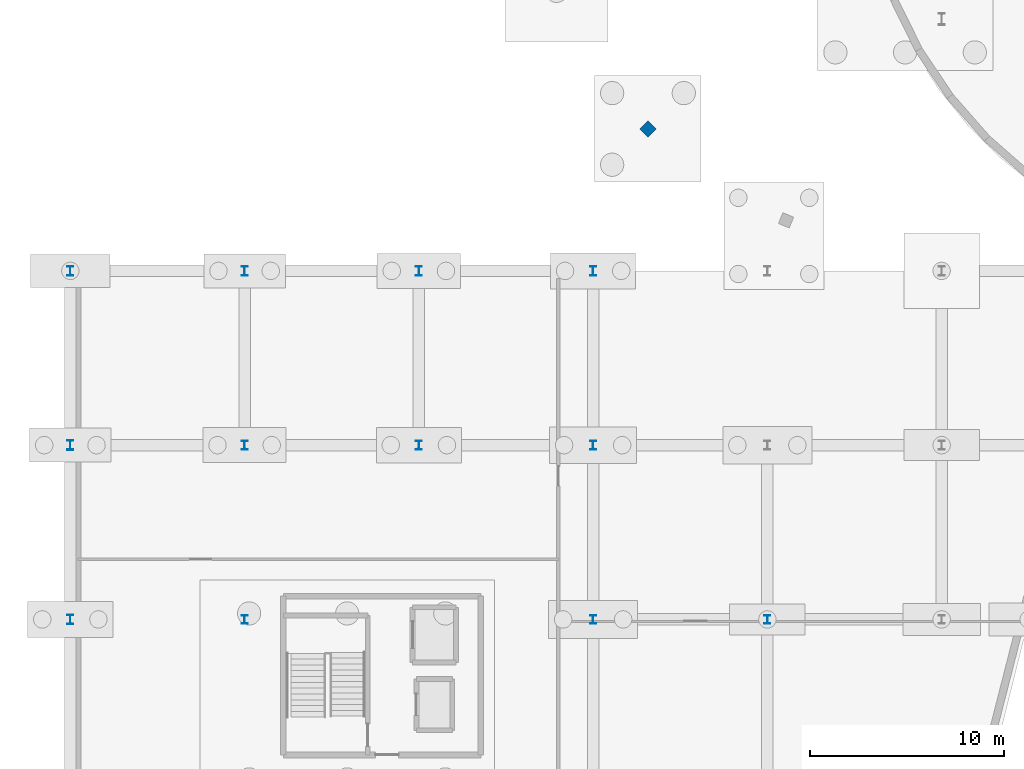
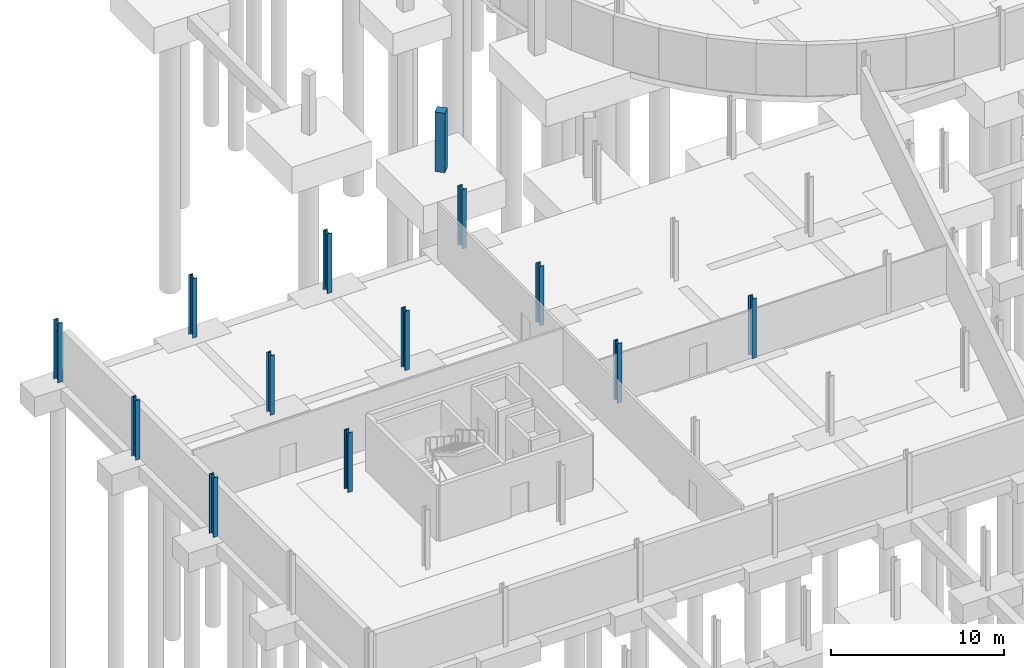
# One storey, part 17 of 42: 13 columns.
"""IFC4 building model written with IfcOpenShell, lengths in metres."""

from ifc_helpers import new_model, si_unit, direction, frame, origin, origin_2d, place, context, subcontext, project, spatial, rectangle, i_section, extrude, material, material_profile, profile_set, type_object, element, save


model = new_model("IFC4")

# Units and contexts
model_context = context("Model", 3, precision=1e-05, world=origin(), true_north=direction((0.0, 1.0)))
body_context = subcontext(model_context, "Body", "Model", "MODEL_VIEW")
ifc_project = project(units=[si_unit("LENGTHUNIT", "METRE"), si_unit("AREAUNIT", "SQUARE_METRE"), si_unit("VOLUMEUNIT", "CUBIC_METRE"), si_unit("PLANEANGLEUNIT", "RADIAN"), si_unit("MASSUNIT", "GRAM", prefix="KILO")], contexts=[model_context])

# Site, building, storey
site_placement = place(None, origin())
site = spatial("IfcSite", under=ifc_project, at=site_placement, CompositionType="ELEMENT")
building_placement = place(site_placement, origin())
building = spatial("IfcBuilding", under=site, at=building_placement, Name="Deido Ridge Mobility Hub", CompositionType="ELEMENT")
storey_placement = place(building_placement, frame((0.0, 0.0, -4.199951171875)))
storey = spatial("IfcBuildingStorey", under=building, at=storey_placement, Name="B1", CompositionType="ELEMENT", Elevation=-4.199951171875)

# Columns
ifc_material_1 = material(Name="Steel S355J2 EN 10025-2", Category="steel")
ifc_material_profile_1 = material_profile(ifc_material_1, i_section(OverallWidth=0.300048828125, OverallDepth=0.449951171875, WebThickness=0.013916015625, FlangeThickness=0.02587890625, FilletRadius=0.027099609375, at=origin_2d()), Name="HEB 450")
ifc_profile_set_1 = profile_set([ifc_material_profile_1], Name="Steel S355J2 EN 10025-2")
column_type_1 = type_object("IfcColumnType", Name="COL-HEB450", PredefinedType="COLUMN", material=ifc_profile_set_1)
for number, where, z_axis, x_axis, name in (
    (1, (9.0, 63.0, 0.0), (0.0, 0.0, 1.0), (1.0, 0.0, 0.0), "Structural column C6"),
    (2, (27.0, 63.0, 0.0), (0.0, 0.0, 1.0), (1.0, 0.0, 0.0), "Structural column C6"),
    (3, (36.0, 63.0, 0.0), (0.0, 0.0, 1.0), (1.0, 0.0, 0.0), "Structural column C6"),
    (4, (9.0, 72.0, 0.0), (0.0, 0.0, 1.0), (1.0, 0.0, 0.0), "Structural column C6"),
    (5, (18.0, 72.0, 0.0), (0.0, 0.0, 1.0), (1.0, 0.0, 0.0), "Structural column C6"),
    (6, (27.0, 72.0, 0.0), (0.0, 0.0, 1.0), (1.0, 0.0, 0.0), "Structural column C6"),
):
    element("IfcColumn", number, at=place(storey_placement, frame(where, z_axis=z_axis, x_axis=x_axis)), inside=storey, type_object=column_type_1, Name=name, PredefinedType="COLUMN", context=body_context, shape_type="SweptSolid", body=[
        extrude(i_section(OverallWidth=0.300048828125, OverallDepth=0.449951171875, WebThickness=0.013916015625, FlangeThickness=0.02587890625, FilletRadius=0.027099609375, at=origin_2d()), origin(), (0.0, 0.0, 1.0), 4.199951171875),
    ])
ifc_material_profile_2 = material_profile(ifc_material_1, i_section(OverallWidth=0.300048828125, OverallDepth=0.5, WebThickness=0.014404296875, FlangeThickness=0.028076171875, FilletRadius=0.027099609375, at=origin_2d()), Name="HEB 500")
ifc_profile_set_2 = profile_set([ifc_material_profile_2], Name="Steel S355J2 EN 10025-2")
column_type_2 = type_object("IfcColumnType", Name="COL-HEB500", PredefinedType="COLUMN", material=ifc_profile_set_2)
for number, where, z_axis, x_axis, name in (
    (7, (0.0, 63.0, 0.0), (0.0, 0.0, 1.0), (1.0, 0.0, 0.0), "Structural column C5"),
    (8, (0.0, 72.0, 0.0), (0.0, 0.0, 1.0), (1.0, 0.0, 0.0), "Structural column C5"),
    (9, (0.0, 81.0, 0.0), (0.0, 0.0, 1.0), (1.0, 0.0, 0.0), "Structural column C5"),
    (10, (9.0, 81.0, 0.0), (0.0, 0.0, 1.0), (1.0, 0.0, 0.0), "Structural column C5"),
    (11, (18.0, 81.0, 0.0), (0.0, 0.0, 1.0), (1.0, 0.0, 0.0), "Structural column C5"),
    (12, (27.0, 81.0, 0.0), (0.0, 0.0, 1.0), (1.0, 0.0, 0.0), "Structural column C5"),
):
    element("IfcColumn", number, at=place(storey_placement, frame(where, z_axis=z_axis, x_axis=x_axis)), inside=storey, type_object=column_type_2, Name=name, PredefinedType="COLUMN", context=body_context, shape_type="SweptSolid", body=[
        extrude(i_section(OverallWidth=0.300048828125, OverallDepth=0.5, WebThickness=0.014404296875, FlangeThickness=0.028076171875, FilletRadius=0.027099609375, at=origin_2d()), origin(), (0.0, 0.0, 1.0), 4.199951171875),
    ])
ifc_material_2 = material(Name="Concrete C40/50", Category="concrete")
ifc_material_profile_3 = material_profile(ifc_material_2, rectangle(XDim=0.60009765625, YDim=0.60009765625, at=origin_2d()), Name="RC COL 600x600")
ifc_profile_set_3 = profile_set([ifc_material_profile_3], Name="Concrete C40/50")
column_type_3 = type_object("IfcColumnType", Name="COL-RC600", PredefinedType="COLUMN", material=ifc_profile_set_3)
column_placement = place(storey_placement, frame((29.83251953125, 88.33251953125, 0.0), z_axis=(0.0, 0.0, 1.0), x_axis=(-0.707106781187, -0.707106781187, 0.0)))
element("IfcColumn", 13, at=column_placement, inside=storey, type_object=column_type_3, Name="Structural column RC2", PredefinedType="COLUMN", context=body_context, shape_type="SweptSolid", body=[
    extrude(rectangle(XDim=0.60009765625, YDim=0.60009765625, at=origin_2d()), origin(), (0.0, 0.0, 1.0), 4.199951171875),
])

save(model, "model.ifc")
